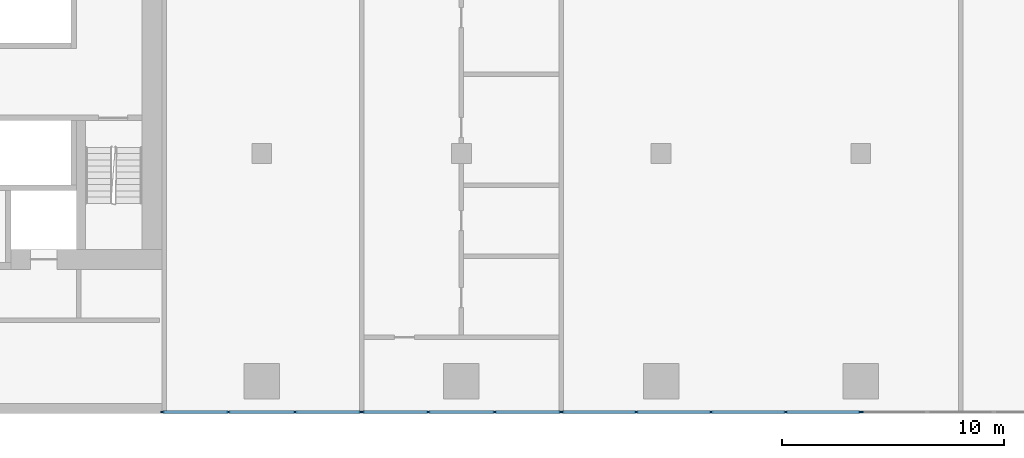
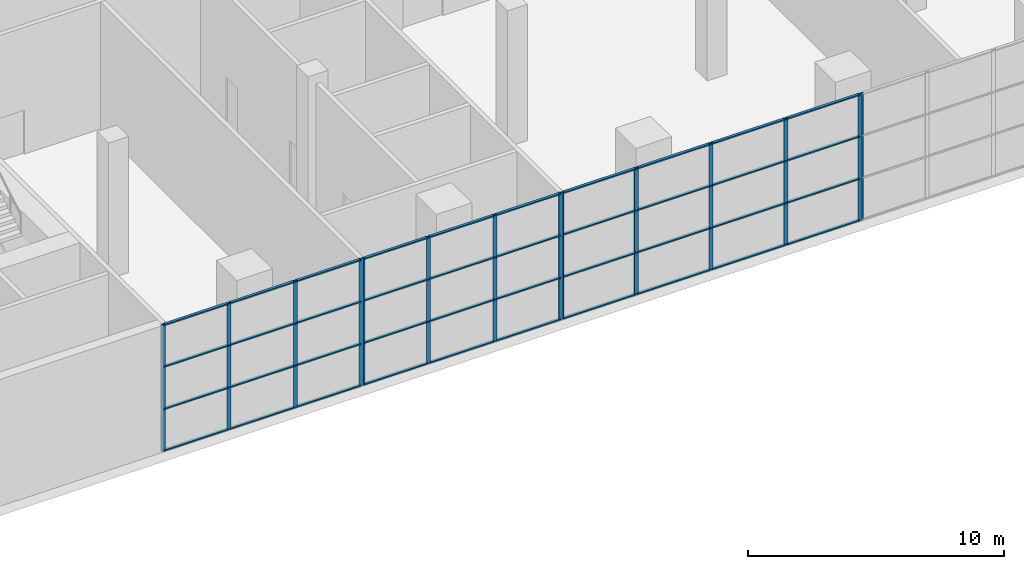
# One storey, part 2 of 24: 54 members, 4 elements without a shape of their own.
"""IFC4 building model written with IfcOpenShell, lengths in metres."""

from ifc_helpers import new_model, si_unit, direction, frame, origin, origin_2d, place, context, subcontext, project, spatial, rectangle, extrude, material, material_profile, profile_set, type_object, element, aggregate, save


model = new_model("IFC4")

# Units and contexts
model_context = context("Model", 3, precision=1e-05, world=origin(), true_north=direction((0.0, 1.0)))
body_context = subcontext(model_context, "Body", "Model", "MODEL_VIEW")
ifc_project = project(units=[si_unit("LENGTHUNIT", "METRE"), si_unit("AREAUNIT", "SQUARE_METRE"), si_unit("VOLUMEUNIT", "CUBIC_METRE"), si_unit("PLANEANGLEUNIT", "RADIAN"), si_unit("MASSUNIT", "GRAM", prefix="KILO")], contexts=[model_context])

# Site, building, storey
site_placement = place(None, origin())
site = spatial("IfcSite", under=ifc_project, at=site_placement, CompositionType="ELEMENT")
building_placement = place(site_placement, origin())
building = spatial("IfcBuilding", under=site, at=building_placement, Name="Kajstack Hotel Tower", CompositionType="ELEMENT")
storey_placement = place(building_placement, frame((0.0, 0.0, 17.0)))
storey = spatial("IfcBuildingStorey", under=building, at=storey_placement, Name="L02", CompositionType="ELEMENT", Elevation=17.0)

# Curtain wall, members
ifc_material_1 = material(Name="Aluminium-framed curtain wall, low-iron laminated glass", Category="aluminium")
curtain_wall_type = type_object("IfcCurtainWallType", Name="CW-DINING", PredefinedType="NOTDEFINED", material=ifc_material_1)
curtain_wall_1_placement = place(storey_placement, origin())
curtain_wall_1 = element("IfcCurtainWall", 1, at=curtain_wall_1_placement, inside=storey, type_object=curtain_wall_type, Name="Curtain wall CU2 L02-03-02-0", PredefinedType="NOTDEFINED")
ifc_material_2 = material(Name="Aluminium", Category="aluminium")
ifc_material_profile_1 = material_profile(ifc_material_2, rectangle(XDim=0.06005859375, YDim=0.179931640625, at=origin_2d()), Name="Aluminium mullion 60 x 180")
ifc_profile_set_1 = profile_set([ifc_material_profile_1], Name="Aluminium")
member_type_1 = type_object("IfcMemberType", Name="CW-M-DINING", PredefinedType="MULLION", material=ifc_profile_set_1)
member_1_placement = place(storey_placement, frame((-13.469970703125, -21.925048828125, 0.0), z_axis=(0.0, 0.0, 1.0), x_axis=(0.0, 1.0, 0.0)))
member_1 = element("IfcMember", 2, at=member_1_placement, type_object=member_type_1, Name="CU2 mullion 1", PredefinedType="MULLION", context=body_context, shape_type="SweptSolid", body=[
    extrude(rectangle(XDim=0.06005859375, YDim=0.179931640625, at=origin_2d()), origin(), (0.0, 0.0, 1.0), 6.050048828125),
])
member_2_placement = place(storey_placement, frame((-10.5, -21.925048828125, 0.0), z_axis=(0.0, 0.0, 1.0), x_axis=(0.0, 1.0, 0.0)))
member_2 = element("IfcMember", 3, at=member_2_placement, type_object=member_type_1, Name="CU2 mullion 2", PredefinedType="MULLION", context=body_context, shape_type="SweptSolid", body=[
    extrude(rectangle(XDim=0.06005859375, YDim=0.179931640625, at=origin_2d()), origin(), (0.0, 0.0, 1.0), 6.050048828125),
])
member_3_placement = place(storey_placement, frame((-7.5, -21.925048828125, 0.0), z_axis=(0.0, 0.0, 1.0), x_axis=(0.0, 1.0, 0.0)))
member_3 = element("IfcMember", 4, at=member_3_placement, type_object=member_type_1, Name="CU2 mullion 3", PredefinedType="MULLION", context=body_context, shape_type="SweptSolid", body=[
    extrude(rectangle(XDim=0.06005859375, YDim=0.179931640625, at=origin_2d()), origin(), (0.0, 0.0, 1.0), 6.050048828125),
])
member_4_placement = place(storey_placement, frame((-4.530029296875, -21.925048828125, 0.0), z_axis=(0.0, 0.0, 1.0), x_axis=(0.0, 1.0, 0.0)))
member_4 = element("IfcMember", 5, at=member_4_placement, type_object=member_type_1, Name="CU2 mullion 4", PredefinedType="MULLION", context=body_context, shape_type="SweptSolid", body=[
    extrude(rectangle(XDim=0.06005859375, YDim=0.179931640625, at=origin_2d()), origin(), (0.0, 0.0, 1.0), 6.050048828125),
])

curtain_wall_2_placement = place(storey_placement, origin())
curtain_wall_2 = element("IfcCurtainWall", 6, at=curtain_wall_2_placement, inside=storey, type_object=curtain_wall_type, Name="Curtain wall CU2 L02-03-02-1", PredefinedType="NOTDEFINED")
member_5_placement = place(storey_placement, frame((-4.469970703125, -21.925048828125, 0.0), z_axis=(0.0, 0.0, 1.0), x_axis=(0.0, 1.0, 0.0)))
member_5 = element("IfcMember", 7, at=member_5_placement, type_object=member_type_1, Name="CU2 mullion 1", PredefinedType="MULLION", context=body_context, shape_type="SweptSolid", body=[
    extrude(rectangle(XDim=0.06005859375, YDim=0.179931640625, at=origin_2d()), origin(), (0.0, 0.0, 1.0), 6.050048828125),
])
member_6_placement = place(storey_placement, frame((-1.5, -21.925048828125, 0.0), z_axis=(0.0, 0.0, 1.0), x_axis=(0.0, 1.0, 0.0)))
member_6 = element("IfcMember", 8, at=member_6_placement, type_object=member_type_1, Name="CU2 mullion 2", PredefinedType="MULLION", context=body_context, shape_type="SweptSolid", body=[
    extrude(rectangle(XDim=0.06005859375, YDim=0.179931640625, at=origin_2d()), origin(), (0.0, 0.0, 1.0), 6.050048828125),
])
member_7_placement = place(storey_placement, frame((1.5, -21.925048828125, 0.0), z_axis=(0.0, 0.0, 1.0), x_axis=(0.0, 1.0, 0.0)))
member_7 = element("IfcMember", 9, at=member_7_placement, type_object=member_type_1, Name="CU2 mullion 3", PredefinedType="MULLION", context=body_context, shape_type="SweptSolid", body=[
    extrude(rectangle(XDim=0.06005859375, YDim=0.179931640625, at=origin_2d()), origin(), (0.0, 0.0, 1.0), 6.050048828125),
])
member_8_placement = place(storey_placement, frame((4.469970703125, -21.925048828125, 0.0), z_axis=(0.0, 0.0, 1.0), x_axis=(0.0, 1.0, 0.0)))
member_8 = element("IfcMember", 10, at=member_8_placement, type_object=member_type_1, Name="CU2 mullion 4", PredefinedType="MULLION", context=body_context, shape_type="SweptSolid", body=[
    extrude(rectangle(XDim=0.06005859375, YDim=0.179931640625, at=origin_2d()), origin(), (0.0, 0.0, 1.0), 6.050048828125),
])

curtain_wall_3_placement = place(storey_placement, origin())
curtain_wall_3 = element("IfcCurtainWall", 11, at=curtain_wall_3_placement, inside=storey, type_object=curtain_wall_type, Name="Curtain wall CU2 L02-03-02-2", PredefinedType="NOTDEFINED")
member_9_placement = place(storey_placement, frame((4.530029296875, -21.925048828125, 0.0), z_axis=(0.0, 0.0, 1.0), x_axis=(0.0, 1.0, 0.0)))
member_9 = element("IfcMember", 12, at=member_9_placement, type_object=member_type_1, Name="CU2 mullion 1", PredefinedType="MULLION", context=body_context, shape_type="SweptSolid", body=[
    extrude(rectangle(XDim=0.06005859375, YDim=0.179931640625, at=origin_2d()), origin(), (0.0, 0.0, 1.0), 6.050048828125),
])
member_10_placement = place(storey_placement, frame((7.875, -21.925048828125, 0.0), z_axis=(0.0, 0.0, 1.0), x_axis=(0.0, 1.0, 0.0)))
member_10 = element("IfcMember", 13, at=member_10_placement, type_object=member_type_1, Name="CU2 mullion 2", PredefinedType="MULLION", context=body_context, shape_type="SweptSolid", body=[
    extrude(rectangle(XDim=0.06005859375, YDim=0.179931640625, at=origin_2d()), origin(), (0.0, 0.0, 1.0), 6.050048828125),
])
member_11_placement = place(storey_placement, frame((11.25, -21.925048828125, 0.0), z_axis=(0.0, 0.0, 1.0), x_axis=(0.0, 1.0, 0.0)))
member_11 = element("IfcMember", 14, at=member_11_placement, type_object=member_type_1, Name="CU2 mullion 3", PredefinedType="MULLION", context=body_context, shape_type="SweptSolid", body=[
    extrude(rectangle(XDim=0.06005859375, YDim=0.179931640625, at=origin_2d()), origin(), (0.0, 0.0, 1.0), 6.050048828125),
])
member_12_placement = place(storey_placement, frame((14.625, -21.925048828125, 0.0), z_axis=(0.0, 0.0, 1.0), x_axis=(0.0, 1.0, 0.0)))
member_12 = element("IfcMember", 15, at=member_12_placement, type_object=member_type_1, Name="CU2 mullion 4", PredefinedType="MULLION", context=body_context, shape_type="SweptSolid", body=[
    extrude(rectangle(XDim=0.06005859375, YDim=0.179931640625, at=origin_2d()), origin(), (0.0, 0.0, 1.0), 6.050048828125),
])
member_13_placement = place(storey_placement, frame((17.969970703125, -21.925048828125, 0.0), z_axis=(0.0, 0.0, 1.0), x_axis=(0.0, 1.0, 0.0)))
member_13 = element("IfcMember", 16, at=member_13_placement, type_object=member_type_1, Name="CU2 mullion 5", PredefinedType="MULLION", context=body_context, shape_type="SweptSolid", body=[
    extrude(rectangle(XDim=0.06005859375, YDim=0.179931640625, at=origin_2d()), origin(), (0.0, 0.0, 1.0), 6.050048828125),
])

# Curtain wall, member
curtain_wall_4_placement = place(storey_placement, origin())
curtain_wall_4 = element("IfcCurtainWall", 17, at=curtain_wall_4_placement, inside=storey, type_object=curtain_wall_type, Name="Curtain wall CU2 L02-03-02-3", PredefinedType="NOTDEFINED")
member_14_placement = place(storey_placement, frame((18.030029296875, -21.925048828125, 0.0), z_axis=(0.0, 0.0, 1.0), x_axis=(0.0, 1.0, 0.0)))
member_14 = element("IfcMember", 18, at=member_14_placement, type_object=member_type_1, Name="CU2 mullion 1", PredefinedType="MULLION", context=body_context, shape_type="SweptSolid", body=[
    extrude(rectangle(XDim=0.06005859375, YDim=0.179931640625, at=origin_2d()), origin(), (0.0, 0.0, 1.0), 6.050048828125),
])
aggregate(curtain_wall_4, [member_14])

# Member
ifc_material_profile_2 = material_profile(ifc_material_2, rectangle(XDim=0.1201171875, YDim=0.06005859375, at=origin_2d()), Name="Aluminium transom 120 x 60")
ifc_profile_set_2 = profile_set([ifc_material_profile_2], Name="Aluminium")
member_type_2 = type_object("IfcMemberType", Name="CW-T-DINING", PredefinedType="USERDEFINED", material=ifc_profile_set_2)
member_15_placement = place(storey_placement, frame((-13.43994140625, -21.925048828125, 0.030029296875), z_axis=(1.0, 0.0, 0.0), x_axis=(0.0, 1.0, 0.0)))
member_15 = element("IfcMember", 19, at=member_15_placement, type_object=member_type_2, Name="CU2 transom 1.1", ObjectType="TRANSOM", PredefinedType="USERDEFINED", context=body_context, shape_type="SweptSolid", body=[
    extrude(rectangle(XDim=0.1201171875, YDim=0.06005859375, at=origin_2d()), origin(), (0.0, 0.0, 1.0), 2.909912109375),
])

member_16_placement = place(storey_placement, frame((-13.43994140625, -21.925048828125, 2.0166015625), z_axis=(1.0, 0.0, 0.0), x_axis=(0.0, 1.0, 0.0)))
member_16 = element("IfcMember", 20, at=member_16_placement, type_object=member_type_2, Name="CU2 transom 1.2", ObjectType="TRANSOM", PredefinedType="USERDEFINED", context=body_context, shape_type="SweptSolid", body=[
    extrude(rectangle(XDim=0.1201171875, YDim=0.06005859375, at=origin_2d()), origin(), (0.0, 0.0, 1.0), 2.909912109375),
])

member_17_placement = place(storey_placement, frame((-13.43994140625, -21.925048828125, 4.033203125), z_axis=(1.0, 0.0, 0.0), x_axis=(0.0, 1.0, 0.0)))
member_17 = element("IfcMember", 21, at=member_17_placement, type_object=member_type_2, Name="CU2 transom 1.3", ObjectType="TRANSOM", PredefinedType="USERDEFINED", context=body_context, shape_type="SweptSolid", body=[
    extrude(rectangle(XDim=0.1201171875, YDim=0.06005859375, at=origin_2d()), origin(), (0.0, 0.0, 1.0), 2.909912109375),
])

member_18_placement = place(storey_placement, frame((-13.43994140625, -21.925048828125, 6.02001953125), z_axis=(1.0, 0.0, 0.0), x_axis=(0.0, 1.0, 0.0)))
member_18 = element("IfcMember", 22, at=member_18_placement, type_object=member_type_2, Name="CU2 transom 1.4", ObjectType="TRANSOM", PredefinedType="USERDEFINED", context=body_context, shape_type="SweptSolid", body=[
    extrude(rectangle(XDim=0.1201171875, YDim=0.06005859375, at=origin_2d()), origin(), (0.0, 0.0, 1.0), 2.909912109375),
])

member_19_placement = place(storey_placement, frame((-10.469970703125, -21.925048828125, 0.030029296875), z_axis=(1.0, 0.0, 0.0), x_axis=(0.0, 1.0, 0.0)))
member_19 = element("IfcMember", 23, at=member_19_placement, type_object=member_type_2, Name="CU2 transom 2.1", ObjectType="TRANSOM", PredefinedType="USERDEFINED", context=body_context, shape_type="SweptSolid", body=[
    extrude(rectangle(XDim=0.1201171875, YDim=0.06005859375, at=origin_2d()), origin(), (0.0, 0.0, 1.0), 2.93994140625),
])

member_20_placement = place(storey_placement, frame((-10.469970703125, -21.925048828125, 2.0166015625), z_axis=(1.0, 0.0, 0.0), x_axis=(0.0, 1.0, 0.0)))
member_20 = element("IfcMember", 24, at=member_20_placement, type_object=member_type_2, Name="CU2 transom 2.2", ObjectType="TRANSOM", PredefinedType="USERDEFINED", context=body_context, shape_type="SweptSolid", body=[
    extrude(rectangle(XDim=0.1201171875, YDim=0.06005859375, at=origin_2d()), origin(), (0.0, 0.0, 1.0), 2.93994140625),
])

member_21_placement = place(storey_placement, frame((-10.469970703125, -21.925048828125, 4.033203125), z_axis=(1.0, 0.0, 0.0), x_axis=(0.0, 1.0, 0.0)))
member_21 = element("IfcMember", 25, at=member_21_placement, type_object=member_type_2, Name="CU2 transom 2.3", ObjectType="TRANSOM", PredefinedType="USERDEFINED", context=body_context, shape_type="SweptSolid", body=[
    extrude(rectangle(XDim=0.1201171875, YDim=0.06005859375, at=origin_2d()), origin(), (0.0, 0.0, 1.0), 2.93994140625),
])

member_22_placement = place(storey_placement, frame((-10.469970703125, -21.925048828125, 6.02001953125), z_axis=(1.0, 0.0, 0.0), x_axis=(0.0, 1.0, 0.0)))
member_22 = element("IfcMember", 26, at=member_22_placement, type_object=member_type_2, Name="CU2 transom 2.4", ObjectType="TRANSOM", PredefinedType="USERDEFINED", context=body_context, shape_type="SweptSolid", body=[
    extrude(rectangle(XDim=0.1201171875, YDim=0.06005859375, at=origin_2d()), origin(), (0.0, 0.0, 1.0), 2.93994140625),
])

member_23_placement = place(storey_placement, frame((-7.469970703125, -21.925048828125, 0.030029296875), z_axis=(1.0, 0.0, 0.0), x_axis=(0.0, 1.0, 0.0)))
member_23 = element("IfcMember", 27, at=member_23_placement, type_object=member_type_2, Name="CU2 transom 3.1", ObjectType="TRANSOM", PredefinedType="USERDEFINED", context=body_context, shape_type="SweptSolid", body=[
    extrude(rectangle(XDim=0.1201171875, YDim=0.06005859375, at=origin_2d()), origin(), (0.0, 0.0, 1.0), 2.909912109375),
])

member_24_placement = place(storey_placement, frame((-7.469970703125, -21.925048828125, 2.0166015625), z_axis=(1.0, 0.0, 0.0), x_axis=(0.0, 1.0, 0.0)))
member_24 = element("IfcMember", 28, at=member_24_placement, type_object=member_type_2, Name="CU2 transom 3.2", ObjectType="TRANSOM", PredefinedType="USERDEFINED", context=body_context, shape_type="SweptSolid", body=[
    extrude(rectangle(XDim=0.1201171875, YDim=0.06005859375, at=origin_2d()), origin(), (0.0, 0.0, 1.0), 2.909912109375),
])

member_25_placement = place(storey_placement, frame((-7.469970703125, -21.925048828125, 4.033203125), z_axis=(1.0, 0.0, 0.0), x_axis=(0.0, 1.0, 0.0)))
member_25 = element("IfcMember", 29, at=member_25_placement, type_object=member_type_2, Name="CU2 transom 3.3", ObjectType="TRANSOM", PredefinedType="USERDEFINED", context=body_context, shape_type="SweptSolid", body=[
    extrude(rectangle(XDim=0.1201171875, YDim=0.06005859375, at=origin_2d()), origin(), (0.0, 0.0, 1.0), 2.909912109375),
])

member_26_placement = place(storey_placement, frame((-7.469970703125, -21.925048828125, 6.02001953125), z_axis=(1.0, 0.0, 0.0), x_axis=(0.0, 1.0, 0.0)))
member_26 = element("IfcMember", 30, at=member_26_placement, type_object=member_type_2, Name="CU2 transom 3.4", ObjectType="TRANSOM", PredefinedType="USERDEFINED", context=body_context, shape_type="SweptSolid", body=[
    extrude(rectangle(XDim=0.1201171875, YDim=0.06005859375, at=origin_2d()), origin(), (0.0, 0.0, 1.0), 2.909912109375),
])

aggregate(curtain_wall_1, [member_1, member_2, member_3, member_4, member_15, member_16, member_17, member_18, member_19, member_20, member_21, member_22, member_23, member_24, member_25, member_26])

member_27_placement = place(storey_placement, frame((-4.43994140625, -21.925048828125, 0.030029296875), z_axis=(1.0, 0.0, 0.0), x_axis=(0.0, 1.0, 0.0)))
member_27 = element("IfcMember", 31, at=member_27_placement, type_object=member_type_2, Name="CU2 transom 1.1", ObjectType="TRANSOM", PredefinedType="USERDEFINED", context=body_context, shape_type="SweptSolid", body=[
    extrude(rectangle(XDim=0.1201171875, YDim=0.06005859375, at=origin_2d()), origin(), (0.0, 0.0, 1.0), 2.909912109375),
])

member_28_placement = place(storey_placement, frame((-4.43994140625, -21.925048828125, 2.0166015625), z_axis=(1.0, 0.0, 0.0), x_axis=(0.0, 1.0, 0.0)))
member_28 = element("IfcMember", 32, at=member_28_placement, type_object=member_type_2, Name="CU2 transom 1.2", ObjectType="TRANSOM", PredefinedType="USERDEFINED", context=body_context, shape_type="SweptSolid", body=[
    extrude(rectangle(XDim=0.1201171875, YDim=0.06005859375, at=origin_2d()), origin(), (0.0, 0.0, 1.0), 2.909912109375),
])

member_29_placement = place(storey_placement, frame((-4.43994140625, -21.925048828125, 4.033203125), z_axis=(1.0, 0.0, 0.0), x_axis=(0.0, 1.0, 0.0)))
member_29 = element("IfcMember", 33, at=member_29_placement, type_object=member_type_2, Name="CU2 transom 1.3", ObjectType="TRANSOM", PredefinedType="USERDEFINED", context=body_context, shape_type="SweptSolid", body=[
    extrude(rectangle(XDim=0.1201171875, YDim=0.06005859375, at=origin_2d()), origin(), (0.0, 0.0, 1.0), 2.909912109375),
])

member_30_placement = place(storey_placement, frame((-4.43994140625, -21.925048828125, 6.02001953125), z_axis=(1.0, 0.0, 0.0), x_axis=(0.0, 1.0, 0.0)))
member_30 = element("IfcMember", 34, at=member_30_placement, type_object=member_type_2, Name="CU2 transom 1.4", ObjectType="TRANSOM", PredefinedType="USERDEFINED", context=body_context, shape_type="SweptSolid", body=[
    extrude(rectangle(XDim=0.1201171875, YDim=0.06005859375, at=origin_2d()), origin(), (0.0, 0.0, 1.0), 2.909912109375),
])

member_31_placement = place(storey_placement, frame((-1.469970703125, -21.925048828125, 0.030029296875), z_axis=(1.0, 0.0, 0.0), x_axis=(0.0, 1.0, 0.0)))
member_31 = element("IfcMember", 35, at=member_31_placement, type_object=member_type_2, Name="CU2 transom 2.1", ObjectType="TRANSOM", PredefinedType="USERDEFINED", context=body_context, shape_type="SweptSolid", body=[
    extrude(rectangle(XDim=0.1201171875, YDim=0.06005859375, at=origin_2d()), origin(), (0.0, 0.0, 1.0), 2.93994140625),
])

member_32_placement = place(storey_placement, frame((-1.469970703125, -21.925048828125, 2.0166015625), z_axis=(1.0, 0.0, 0.0), x_axis=(0.0, 1.0, 0.0)))
member_32 = element("IfcMember", 36, at=member_32_placement, type_object=member_type_2, Name="CU2 transom 2.2", ObjectType="TRANSOM", PredefinedType="USERDEFINED", context=body_context, shape_type="SweptSolid", body=[
    extrude(rectangle(XDim=0.1201171875, YDim=0.06005859375, at=origin_2d()), origin(), (0.0, 0.0, 1.0), 2.93994140625),
])

member_33_placement = place(storey_placement, frame((-1.469970703125, -21.925048828125, 4.033203125), z_axis=(1.0, 0.0, 0.0), x_axis=(0.0, 1.0, 0.0)))
member_33 = element("IfcMember", 37, at=member_33_placement, type_object=member_type_2, Name="CU2 transom 2.3", ObjectType="TRANSOM", PredefinedType="USERDEFINED", context=body_context, shape_type="SweptSolid", body=[
    extrude(rectangle(XDim=0.1201171875, YDim=0.06005859375, at=origin_2d()), origin(), (0.0, 0.0, 1.0), 2.93994140625),
])

member_34_placement = place(storey_placement, frame((-1.469970703125, -21.925048828125, 6.02001953125), z_axis=(1.0, 0.0, 0.0), x_axis=(0.0, 1.0, 0.0)))
member_34 = element("IfcMember", 38, at=member_34_placement, type_object=member_type_2, Name="CU2 transom 2.4", ObjectType="TRANSOM", PredefinedType="USERDEFINED", context=body_context, shape_type="SweptSolid", body=[
    extrude(rectangle(XDim=0.1201171875, YDim=0.06005859375, at=origin_2d()), origin(), (0.0, 0.0, 1.0), 2.93994140625),
])

member_35_placement = place(storey_placement, frame((1.530029296875, -21.925048828125, 0.030029296875), z_axis=(1.0, 0.0, 0.0), x_axis=(0.0, 1.0, 0.0)))
member_35 = element("IfcMember", 39, at=member_35_placement, type_object=member_type_2, Name="CU2 transom 3.1", ObjectType="TRANSOM", PredefinedType="USERDEFINED", context=body_context, shape_type="SweptSolid", body=[
    extrude(rectangle(XDim=0.1201171875, YDim=0.06005859375, at=origin_2d()), origin(), (0.0, 0.0, 1.0), 2.909912109375),
])

member_36_placement = place(storey_placement, frame((1.530029296875, -21.925048828125, 2.0166015625), z_axis=(1.0, 0.0, 0.0), x_axis=(0.0, 1.0, 0.0)))
member_36 = element("IfcMember", 40, at=member_36_placement, type_object=member_type_2, Name="CU2 transom 3.2", ObjectType="TRANSOM", PredefinedType="USERDEFINED", context=body_context, shape_type="SweptSolid", body=[
    extrude(rectangle(XDim=0.1201171875, YDim=0.06005859375, at=origin_2d()), origin(), (0.0, 0.0, 1.0), 2.909912109375),
])

member_37_placement = place(storey_placement, frame((1.530029296875, -21.925048828125, 4.033203125), z_axis=(1.0, 0.0, 0.0), x_axis=(0.0, 1.0, 0.0)))
member_37 = element("IfcMember", 41, at=member_37_placement, type_object=member_type_2, Name="CU2 transom 3.3", ObjectType="TRANSOM", PredefinedType="USERDEFINED", context=body_context, shape_type="SweptSolid", body=[
    extrude(rectangle(XDim=0.1201171875, YDim=0.06005859375, at=origin_2d()), origin(), (0.0, 0.0, 1.0), 2.909912109375),
])

member_38_placement = place(storey_placement, frame((1.530029296875, -21.925048828125, 6.02001953125), z_axis=(1.0, 0.0, 0.0), x_axis=(0.0, 1.0, 0.0)))
member_38 = element("IfcMember", 42, at=member_38_placement, type_object=member_type_2, Name="CU2 transom 3.4", ObjectType="TRANSOM", PredefinedType="USERDEFINED", context=body_context, shape_type="SweptSolid", body=[
    extrude(rectangle(XDim=0.1201171875, YDim=0.06005859375, at=origin_2d()), origin(), (0.0, 0.0, 1.0), 2.909912109375),
])

aggregate(curtain_wall_2, [member_5, member_6, member_7, member_8, member_27, member_28, member_29, member_30, member_31, member_32, member_33, member_34, member_35, member_36, member_37, member_38])

member_39_placement = place(storey_placement, frame((4.56005859375, -21.925048828125, 0.030029296875), z_axis=(1.0, 0.0, 0.0), x_axis=(0.0, 1.0, 0.0)))
member_39 = element("IfcMember", 43, at=member_39_placement, type_object=member_type_2, Name="CU2 transom 1.1", ObjectType="TRANSOM", PredefinedType="USERDEFINED", context=body_context, shape_type="SweptSolid", body=[
    extrude(rectangle(XDim=0.1201171875, YDim=0.06005859375, at=origin_2d()), origin(), (0.0, 0.0, 1.0), 3.284912109375),
])

member_40_placement = place(storey_placement, frame((4.56005859375, -21.925048828125, 2.0166015625), z_axis=(1.0, 0.0, 0.0), x_axis=(0.0, 1.0, 0.0)))
member_40 = element("IfcMember", 44, at=member_40_placement, type_object=member_type_2, Name="CU2 transom 1.2", ObjectType="TRANSOM", PredefinedType="USERDEFINED", context=body_context, shape_type="SweptSolid", body=[
    extrude(rectangle(XDim=0.1201171875, YDim=0.06005859375, at=origin_2d()), origin(), (0.0, 0.0, 1.0), 3.284912109375),
])

member_41_placement = place(storey_placement, frame((4.56005859375, -21.925048828125, 4.033203125), z_axis=(1.0, 0.0, 0.0), x_axis=(0.0, 1.0, 0.0)))
member_41 = element("IfcMember", 45, at=member_41_placement, type_object=member_type_2, Name="CU2 transom 1.3", ObjectType="TRANSOM", PredefinedType="USERDEFINED", context=body_context, shape_type="SweptSolid", body=[
    extrude(rectangle(XDim=0.1201171875, YDim=0.06005859375, at=origin_2d()), origin(), (0.0, 0.0, 1.0), 3.284912109375),
])

member_42_placement = place(storey_placement, frame((4.56005859375, -21.925048828125, 6.02001953125), z_axis=(1.0, 0.0, 0.0), x_axis=(0.0, 1.0, 0.0)))
member_42 = element("IfcMember", 46, at=member_42_placement, type_object=member_type_2, Name="CU2 transom 1.4", ObjectType="TRANSOM", PredefinedType="USERDEFINED", context=body_context, shape_type="SweptSolid", body=[
    extrude(rectangle(XDim=0.1201171875, YDim=0.06005859375, at=origin_2d()), origin(), (0.0, 0.0, 1.0), 3.284912109375),
])

member_43_placement = place(storey_placement, frame((7.905029296875, -21.925048828125, 0.030029296875), z_axis=(1.0, 0.0, 0.0), x_axis=(0.0, 1.0, 0.0)))
member_43 = element("IfcMember", 47, at=member_43_placement, type_object=member_type_2, Name="CU2 transom 2.1", ObjectType="TRANSOM", PredefinedType="USERDEFINED", context=body_context, shape_type="SweptSolid", body=[
    extrude(rectangle(XDim=0.1201171875, YDim=0.06005859375, at=origin_2d()), origin(), (0.0, 0.0, 1.0), 3.31494140625),
])

member_44_placement = place(storey_placement, frame((7.905029296875, -21.925048828125, 2.0166015625), z_axis=(1.0, 0.0, 0.0), x_axis=(0.0, 1.0, 0.0)))
member_44 = element("IfcMember", 48, at=member_44_placement, type_object=member_type_2, Name="CU2 transom 2.2", ObjectType="TRANSOM", PredefinedType="USERDEFINED", context=body_context, shape_type="SweptSolid", body=[
    extrude(rectangle(XDim=0.1201171875, YDim=0.06005859375, at=origin_2d()), origin(), (0.0, 0.0, 1.0), 3.31494140625),
])

member_45_placement = place(storey_placement, frame((7.905029296875, -21.925048828125, 4.033203125), z_axis=(1.0, 0.0, 0.0), x_axis=(0.0, 1.0, 0.0)))
member_45 = element("IfcMember", 49, at=member_45_placement, type_object=member_type_2, Name="CU2 transom 2.3", ObjectType="TRANSOM", PredefinedType="USERDEFINED", context=body_context, shape_type="SweptSolid", body=[
    extrude(rectangle(XDim=0.1201171875, YDim=0.06005859375, at=origin_2d()), origin(), (0.0, 0.0, 1.0), 3.31494140625),
])

member_46_placement = place(storey_placement, frame((7.905029296875, -21.925048828125, 6.02001953125), z_axis=(1.0, 0.0, 0.0), x_axis=(0.0, 1.0, 0.0)))
member_46 = element("IfcMember", 50, at=member_46_placement, type_object=member_type_2, Name="CU2 transom 2.4", ObjectType="TRANSOM", PredefinedType="USERDEFINED", context=body_context, shape_type="SweptSolid", body=[
    extrude(rectangle(XDim=0.1201171875, YDim=0.06005859375, at=origin_2d()), origin(), (0.0, 0.0, 1.0), 3.31494140625),
])

member_47_placement = place(storey_placement, frame((11.280029296875, -21.925048828125, 0.030029296875), z_axis=(1.0, 0.0, 0.0), x_axis=(0.0, 1.0, 0.0)))
member_47 = element("IfcMember", 51, at=member_47_placement, type_object=member_type_2, Name="CU2 transom 3.1", ObjectType="TRANSOM", PredefinedType="USERDEFINED", context=body_context, shape_type="SweptSolid", body=[
    extrude(rectangle(XDim=0.1201171875, YDim=0.06005859375, at=origin_2d()), origin(), (0.0, 0.0, 1.0), 3.31494140625),
])

member_48_placement = place(storey_placement, frame((11.280029296875, -21.925048828125, 2.0166015625), z_axis=(1.0, 0.0, 0.0), x_axis=(0.0, 1.0, 0.0)))
member_48 = element("IfcMember", 52, at=member_48_placement, type_object=member_type_2, Name="CU2 transom 3.2", ObjectType="TRANSOM", PredefinedType="USERDEFINED", context=body_context, shape_type="SweptSolid", body=[
    extrude(rectangle(XDim=0.1201171875, YDim=0.06005859375, at=origin_2d()), origin(), (0.0, 0.0, 1.0), 3.31494140625),
])

member_49_placement = place(storey_placement, frame((11.280029296875, -21.925048828125, 4.033203125), z_axis=(1.0, 0.0, 0.0), x_axis=(0.0, 1.0, 0.0)))
member_49 = element("IfcMember", 53, at=member_49_placement, type_object=member_type_2, Name="CU2 transom 3.3", ObjectType="TRANSOM", PredefinedType="USERDEFINED", context=body_context, shape_type="SweptSolid", body=[
    extrude(rectangle(XDim=0.1201171875, YDim=0.06005859375, at=origin_2d()), origin(), (0.0, 0.0, 1.0), 3.31494140625),
])

member_50_placement = place(storey_placement, frame((11.280029296875, -21.925048828125, 6.02001953125), z_axis=(1.0, 0.0, 0.0), x_axis=(0.0, 1.0, 0.0)))
member_50 = element("IfcMember", 54, at=member_50_placement, type_object=member_type_2, Name="CU2 transom 3.4", ObjectType="TRANSOM", PredefinedType="USERDEFINED", context=body_context, shape_type="SweptSolid", body=[
    extrude(rectangle(XDim=0.1201171875, YDim=0.06005859375, at=origin_2d()), origin(), (0.0, 0.0, 1.0), 3.31494140625),
])

member_51_placement = place(storey_placement, frame((14.655029296875, -21.925048828125, 0.030029296875), z_axis=(1.0, 0.0, 0.0), x_axis=(0.0, 1.0, 0.0)))
member_51 = element("IfcMember", 55, at=member_51_placement, type_object=member_type_2, Name="CU2 transom 4.1", ObjectType="TRANSOM", PredefinedType="USERDEFINED", context=body_context, shape_type="SweptSolid", body=[
    extrude(rectangle(XDim=0.1201171875, YDim=0.06005859375, at=origin_2d()), origin(), (0.0, 0.0, 1.0), 3.284912109375),
])

member_52_placement = place(storey_placement, frame((14.655029296875, -21.925048828125, 2.0166015625), z_axis=(1.0, 0.0, 0.0), x_axis=(0.0, 1.0, 0.0)))
member_52 = element("IfcMember", 56, at=member_52_placement, type_object=member_type_2, Name="CU2 transom 4.2", ObjectType="TRANSOM", PredefinedType="USERDEFINED", context=body_context, shape_type="SweptSolid", body=[
    extrude(rectangle(XDim=0.1201171875, YDim=0.06005859375, at=origin_2d()), origin(), (0.0, 0.0, 1.0), 3.284912109375),
])

member_53_placement = place(storey_placement, frame((14.655029296875, -21.925048828125, 4.033203125), z_axis=(1.0, 0.0, 0.0), x_axis=(0.0, 1.0, 0.0)))
member_53 = element("IfcMember", 57, at=member_53_placement, type_object=member_type_2, Name="CU2 transom 4.3", ObjectType="TRANSOM", PredefinedType="USERDEFINED", context=body_context, shape_type="SweptSolid", body=[
    extrude(rectangle(XDim=0.1201171875, YDim=0.06005859375, at=origin_2d()), origin(), (0.0, 0.0, 1.0), 3.284912109375),
])

member_54_placement = place(storey_placement, frame((14.655029296875, -21.925048828125, 6.02001953125), z_axis=(1.0, 0.0, 0.0), x_axis=(0.0, 1.0, 0.0)))
member_54 = element("IfcMember", 58, at=member_54_placement, type_object=member_type_2, Name="CU2 transom 4.4", ObjectType="TRANSOM", PredefinedType="USERDEFINED", context=body_context, shape_type="SweptSolid", body=[
    extrude(rectangle(XDim=0.1201171875, YDim=0.06005859375, at=origin_2d()), origin(), (0.0, 0.0, 1.0), 3.284912109375),
])

aggregate(curtain_wall_3, [member_9, member_10, member_11, member_12, member_13, member_39, member_40, member_41, member_42, member_43, member_44, member_45, member_46, member_47, member_48, member_49, member_50, member_51, member_52, member_53, member_54])

save(model, "model.ifc")
